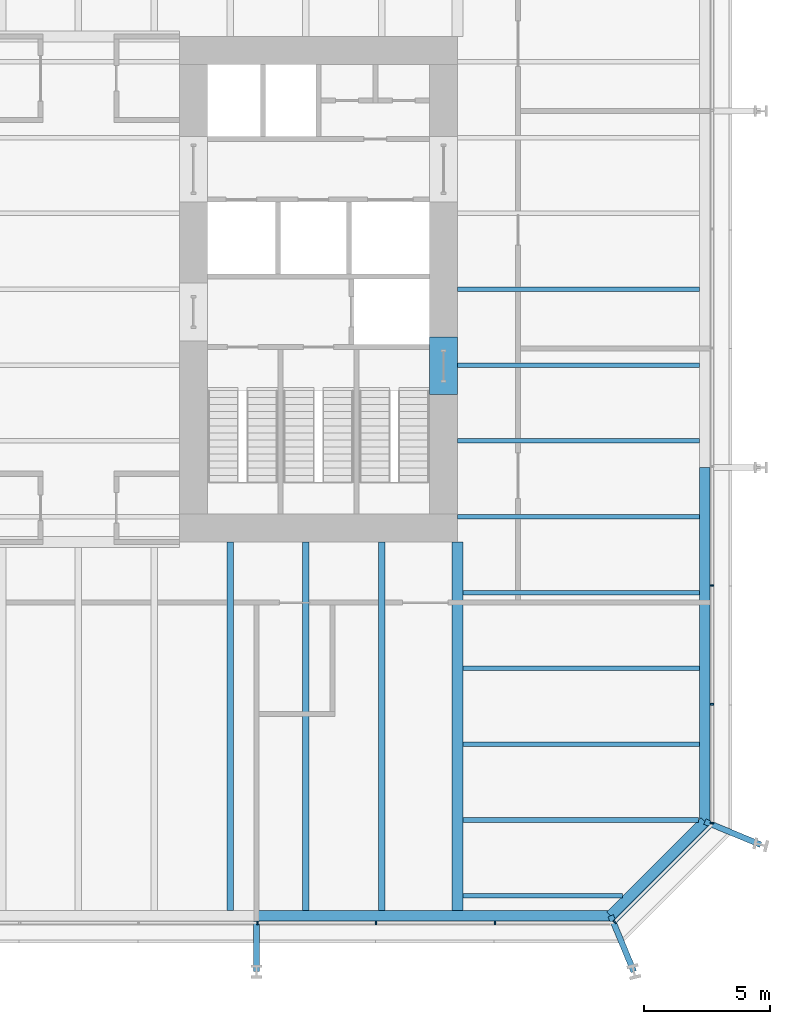
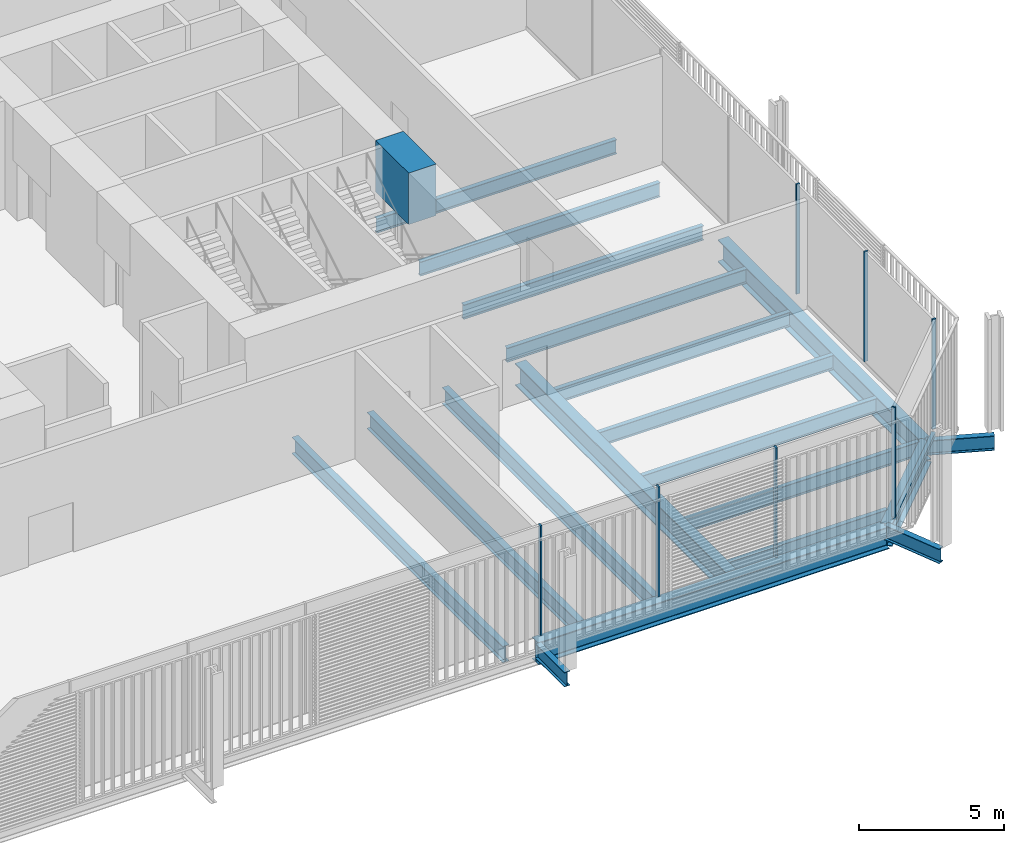
# One storey, part 8 of 22: 20 beams, 8 members, 3 elements without a shape of their own.
"""IFC4 building model written with IfcOpenShell, lengths in metres."""

from ifc_helpers import new_model, si_unit, direction, frame, origin, origin_2d, place, context, subcontext, project, spatial, rectangle, i_section, extrude, material, layer, layer_set, material_profile, profile_set, type_object, element, aggregate, save


model = new_model("IFC4")

# Units and contexts
model_context = context("Model", 3, precision=1e-05, world=origin(), true_north=direction((0.0, 1.0)))
body_context = subcontext(model_context, "Body", "Model", "MODEL_VIEW")
ifc_project = project(units=[si_unit("LENGTHUNIT", "METRE"), si_unit("AREAUNIT", "SQUARE_METRE"), si_unit("VOLUMEUNIT", "CUBIC_METRE"), si_unit("PLANEANGLEUNIT", "RADIAN"), si_unit("MASSUNIT", "GRAM", prefix="KILO")], contexts=[model_context])

# Site, building, storey
site_placement = place(None, origin())
site = spatial("IfcSite", under=ifc_project, at=site_placement, CompositionType="ELEMENT")
building_placement = place(site_placement, origin())
building = spatial("IfcBuilding", under=site, at=building_placement, Name="Millrace Tower", CompositionType="ELEMENT")
storey_placement = place(building_placement, frame((0.0, 0.0, 49.699951171875)))
storey = spatial("IfcBuildingStorey", under=building, at=storey_placement, Name="L11", CompositionType="ELEMENT", Elevation=49.699951171875)

# Curtain wall, members
ifc_material_1 = material(Name="Aluminium and glass", Category="aluminium")
ifc_layer = layer(ifc_material_1, 0.14990234375)
ifc_layer_set = layer_set([ifc_layer], Name="Aluminium and glass")
curtain_wall_type = type_object("IfcCurtainWallType", Name="CW-2 data hall insulated curtain wall", PredefinedType="NOTDEFINED", material=ifc_layer_set)
placement = place(storey_placement, origin())
curtain_wall_1 = element("IfcCurtainWall", 1, at=placement, inside=storey, type_object=curtain_wall_type, Name="Curtain wall A-F02 L11", PredefinedType="NOTDEFINED")
ifc_material_2 = material(Name="Aluminium", Category="aluminium")
ifc_material_profile_1 = material_profile(ifc_material_2, rectangle(XDim=0.06494140625, YDim=0.14990234375, at=origin_2d()))
ifc_profile_set_1 = profile_set([ifc_material_profile_1], Name="Aluminium")
member_type_1 = type_object("IfcMemberType", Name="CW-2 data hall insulated curtain wall mullion", PredefinedType="MULLION", material=ifc_profile_set_1)
member_1_placement = place(storey_placement, frame((7.08251953125, -25.074951171875, 0.16015625), z_axis=(0.0, 0.0, 1.0), x_axis=(1.0, 0.0, 0.0)))
member_1 = element("IfcMember", 2, at=member_1_placement, type_object=member_type_1, Name="CW2 mullion A-F02.7", PredefinedType="MULLION", context=body_context, shape_type="SweptSolid", body=[
    extrude(rectangle(XDim=0.06494140625, YDim=0.14990234375, at=origin_2d()), origin(), (0.0, 0.0, 1.0), 4.639892578125),
])
member_2_placement = place(storey_placement, frame((11.782470703125, -25.074951171875, 0.16015625), z_axis=(0.0, 0.0, 1.0), x_axis=(1.0, 0.0, 0.0)))
member_2 = element("IfcMember", 3, at=member_2_placement, type_object=member_type_1, Name="CW2 mullion A-F02.8", PredefinedType="MULLION", context=body_context, shape_type="SweptSolid", body=[
    extrude(rectangle(XDim=0.06494140625, YDim=0.14990234375, at=origin_2d()), origin(), (0.0, 0.0, 1.0), 4.639892578125),
])
member_3_placement = place(storey_placement, frame((16.482421875, -25.074951171875, 0.16015625), z_axis=(0.0, 0.0, 1.0), x_axis=(1.0, 0.0, 0.0)))
member_3 = element("IfcMember", 4, at=member_3_placement, type_object=member_type_1, Name="CW2 mullion A-F02.9", PredefinedType="MULLION", context=body_context, shape_type="SweptSolid", body=[
    extrude(rectangle(XDim=0.06494140625, YDim=0.14990234375, at=origin_2d()), origin(), (0.0, 0.0, 1.0), 4.639892578125),
])
aggregate(curtain_wall_1, [member_1, member_2, member_3])

# Curtain wall, member
curtain_wall_2 = element("IfcCurtainWall", 5, at=placement, inside=storey, type_object=curtain_wall_type, Name="Curtain wall A-F03 L11", PredefinedType="NOTDEFINED")
member_4_placement = place(storey_placement, frame((21.22607421875, -25.030029296875, 0.16015625), z_axis=(0.0, 0.0, 1.0), x_axis=(0.707106781187, 0.707106781187, 0.0)))
member_4 = element("IfcMember", 6, at=member_4_placement, type_object=member_type_1, Name="CW2 mullion A-F03.1", PredefinedType="MULLION", context=body_context, shape_type="SweptSolid", body=[
    extrude(rectangle(XDim=0.06494140625, YDim=0.14990234375, at=origin_2d()), origin(), (0.0, 0.0, 1.0), 4.639892578125),
])

# Curtain wall, members
curtain_wall_3 = element("IfcCurtainWall", 7, at=placement, inside=storey, type_object=curtain_wall_type, Name="Curtain wall A-F04 L11", PredefinedType="NOTDEFINED")
member_5_placement = place(storey_placement, frame((25.074951171875, -21.117431640625, 0.16015625), z_axis=(0.0, 0.0, 1.0), x_axis=(0.0, 1.0, 0.0)))
member_5 = element("IfcMember", 8, at=member_5_placement, type_object=member_type_1, Name="CW2 mullion A-F04.1", PredefinedType="MULLION", context=body_context, shape_type="SweptSolid", body=[
    extrude(rectangle(XDim=0.06494140625, YDim=0.14990234375, at=origin_2d()), origin(), (0.0, 0.0, 1.0), 4.639892578125),
])
member_6_placement = place(storey_placement, frame((25.074951171875, -16.41748046875, 0.16015625), z_axis=(0.0, 0.0, 1.0), x_axis=(0.0, 1.0, 0.0)))
member_6 = element("IfcMember", 9, at=member_6_placement, type_object=member_type_1, Name="CW2 mullion A-F04.2", PredefinedType="MULLION", context=body_context, shape_type="SweptSolid", body=[
    extrude(rectangle(XDim=0.06494140625, YDim=0.14990234375, at=origin_2d()), origin(), (0.0, 0.0, 1.0), 4.639892578125),
])
member_7_placement = place(storey_placement, frame((25.074951171875, -11.717529296875, 0.16015625), z_axis=(0.0, 0.0, 1.0), x_axis=(0.0, 1.0, 0.0)))
member_7 = element("IfcMember", 10, at=member_7_placement, type_object=member_type_1, Name="CW2 mullion A-F04.3", PredefinedType="MULLION", context=body_context, shape_type="SweptSolid", body=[
    extrude(rectangle(XDim=0.06494140625, YDim=0.14990234375, at=origin_2d()), origin(), (0.0, 0.0, 1.0), 4.639892578125),
])
aggregate(curtain_wall_3, [member_5, member_6, member_7])

# Member
ifc_material_3 = material(Name="Aluminium", Category="aluminium")
ifc_material_profile_2 = material_profile(ifc_material_3, rectangle(XDim=0.14990234375, YDim=0.159912109375, at=origin_2d()))
ifc_profile_set_2 = profile_set([ifc_material_profile_2], Name="Aluminium")
member_type_2 = type_object("IfcMemberType", Name="CW-2 data hall insulated curtain wall transom", PredefinedType="USERDEFINED", material=ifc_profile_set_2)
member_8_placement = place(storey_placement, frame((21.273681640625, -24.982421875, 0.080078125), z_axis=(0.707106781187, 0.707106781187, 0.0), x_axis=(-0.707106781187, 0.707106781187, 0.0)))
member_8 = element("IfcMember", 11, at=member_8_placement, type_object=member_type_2, Name="CW2 transom A-F03.1", ObjectType="TRANSOM", PredefinedType="USERDEFINED", context=body_context, shape_type="SweptSolid", body=[
    extrude(rectangle(XDim=0.14990234375, YDim=0.159912109375, at=origin_2d()), origin(), (0.0, 0.0, 1.0), 5.244873046875),
])

aggregate(curtain_wall_2, [member_4, member_8])

# Beams
ifc_material_4 = material(Name="Concrete C80", Category="concrete")
ifc_material_profile_3 = material_profile(ifc_material_4, rectangle(XDim=1.10009765625, YDim=2.175048828125, at=origin_2d()))
ifc_profile_set_3 = profile_set([ifc_material_profile_3], Name="Concrete C80")
beam_type_1 = type_object("IfcBeamType", Name="Coupling beam 1100 x 2175 Concrete C80, 1300 opening", PredefinedType="BEAM", material=ifc_profile_set_3)
beam_1_placement = place(storey_placement, frame((14.449951171875, -1.88818359375, 3.487548828125), z_axis=(0.0, -1.0, 0.0), x_axis=(1.0, 0.0, 0.0)))
element("IfcBeam", 12, at=beam_1_placement, inside=storey, type_object=beam_type_1, Name="Coupling beam E L11", PredefinedType="BEAM", context=body_context, shape_type="SweptSolid", body=[
    extrude(rectangle(XDim=1.10009765625, YDim=2.175048828125, at=origin_2d()), origin(), (0.0, 0.0, 1.0), 2.28369140625),
])
ifc_material_5 = material(Name="Steel ASTM A992 Grade 50", Category="steel")
ifc_material_profile_4 = material_profile(ifc_material_5, i_section(OverallWidth=0.177978515625, OverallDepth=0.599365234375, WebThickness=0.010009765625, FlangeThickness=0.012939453125, FilletRadius=0.012939453125, at=origin_2d()))
ifc_profile_set_4 = profile_set([ifc_material_profile_4], Name="Steel ASTM A992 Grade 50")
beam_type_2 = type_object("IfcBeamType", Name="Floor beam W24x55", PredefinedType="JOIST", material=ifc_profile_set_4)
beam_2_placement = place(storey_placement, frame((15.212158203125, -24.0, -0.524658203125), z_axis=(1.0, 0.0, 0.0), x_axis=(0.0, 1.0, 0.0)))
element("IfcBeam", 13, at=beam_2_placement, inside=storey, type_object=beam_type_2, Name="BM-A-L11-S1-S002", PredefinedType="JOIST", context=body_context, shape_type="SweptSolid", body=[
    extrude(i_section(OverallWidth=0.177978515625, OverallDepth=0.599365234375, WebThickness=0.010009765625, FlangeThickness=0.012939453125, FilletRadius=0.012939453125, at=origin_2d()), origin(), (0.0, 0.0, 1.0), 6.317626953125),
])
ifc_material_6 = material(Name="Steel ASTM A992 Grade 50", Category="steel")
ifc_material_profile_5 = material_profile(ifc_material_6, i_section(OverallWidth=0.1787109375, OverallDepth=0.60205078125, WebThickness=0.010986328125, FlangeThickness=0.014892578125, FilletRadius=0.0126953125, at=origin_2d()))
ifc_profile_set_5 = profile_set([ifc_material_profile_5], Name="Steel ASTM A992 Grade 50")
beam_type_3 = type_object("IfcBeamType", Name="Floor beam W24x62", PredefinedType="JOIST", material=ifc_profile_set_5)
for number, where, z_axis, x_axis, name in (
    (14, (15.212158203125, -18.0, -0.52587890625), (1.0, 0.0, 0.0), (0.0, 1.0, 0.0), "BM-A-L11-S1-S006"),
    (15, (15.212158203125, -15.0, -0.52587890625), (1.0, 0.0, 0.0), (0.0, 1.0, 0.0), "BM-A-L11-S1-S008"),
    (16, (15.212158203125, -12.0, -0.52587890625), (1.0, 0.0, 0.0), (0.0, 1.0, 0.0), "BM-A-L11-S1-S010"),
):
    element("IfcBeam", number, at=place(storey_placement, frame(where, z_axis=z_axis, x_axis=x_axis)), inside=storey, type_object=beam_type_3, Name=name, PredefinedType="JOIST", context=body_context, shape_type="SweptSolid", body=[
        extrude(i_section(OverallWidth=0.1787109375, OverallDepth=0.60205078125, WebThickness=0.010986328125, FlangeThickness=0.014892578125, FilletRadius=0.0126953125, at=origin_2d()), origin(), (0.0, 0.0, 1.0), 9.3662109375),
    ])
for number, where, z_axis, x_axis, name in (
    (17, (15.0, -9.0, -0.52587890625), (1.0, 0.0, 0.0), (0.0, 1.0, 0.0), "BM-A-L11-S1-S013"),
    (18, (15.0, -6.0, -0.52587890625), (1.0, 0.0, 0.0), (0.0, 1.0, 0.0), "BM-A-L11-S1-S016"),
    (19, (15.0, -3.0, -0.52587890625), (1.0, 0.0, 0.0), (0.0, 1.0, 0.0), "BM-A-L11-S1-S019"),
    (20, (15.0, 0.0, -0.52587890625), (1.0, 0.0, 0.0), (0.0, 1.0, 0.0), "BM-A-L11-S1-S022"),
):
    element("IfcBeam", number, at=place(storey_placement, frame(where, z_axis=z_axis, x_axis=x_axis)), inside=storey, type_object=beam_type_3, Name=name, PredefinedType="JOIST", context=body_context, shape_type="SweptSolid", body=[
        extrude(i_section(OverallWidth=0.1787109375, OverallDepth=0.60205078125, WebThickness=0.010986328125, FlangeThickness=0.014892578125, FilletRadius=0.0126953125, at=origin_2d()), origin(), (0.0, 0.0, 1.0), 9.578369140625),
    ])
beam_3_placement = place(storey_placement, frame((15.212158203125, -21.0, -0.52587890625), z_axis=(1.0, 0.0, 0.0), x_axis=(0.0, 1.0, 0.0)))
element("IfcBeam", 21, at=beam_3_placement, inside=storey, type_object=beam_type_3, Name="BM-A-L11-S1-S004", PredefinedType="JOIST", context=body_context, shape_type="SweptSolid", body=[
    extrude(i_section(OverallWidth=0.1787109375, OverallDepth=0.60205078125, WebThickness=0.010986328125, FlangeThickness=0.014892578125, FilletRadius=0.0126953125, at=origin_2d()), origin(), (0.0, 0.0, 1.0), 9.317626953125),
])
ifc_material_7 = material(Name="Steel ASTM A992 Grade 50", Category="steel")
ifc_material_profile_6 = material_profile(ifc_material_7, i_section(OverallWidth=0.256591796875, OverallDepth=0.693359375, WebThickness=0.014404296875, FlangeThickness=0.023681640625, FilletRadius=0.01513671875, at=origin_2d()))
ifc_profile_set_6 = profile_set([ifc_material_profile_6], Name="Steel ASTM A992 Grade 50")
beam_type_4 = type_object("IfcBeamType", Name="Floor beam W27x114", PredefinedType="JOIST", material=ifc_profile_set_6)
for number, where, z_axis, x_axis, name in (
    (22, (6.0, -24.578369140625, -0.57177734375), (0.0, 1.0, 0.0), (-1.0, 0.0, 0.0), "BM-A-L11-S1-S055"),
    (23, (9.0, -24.578369140625, -0.57177734375), (0.0, 1.0, 0.0), (-1.0, 0.0, 0.0), "BM-A-L11-S1-S057"),
    (24, (12.0, -24.578369140625, -0.57177734375), (0.0, 1.0, 0.0), (-1.0, 0.0, 0.0), "BM-A-L11-S1-S059"),
):
    element("IfcBeam", number, at=place(storey_placement, frame(where, z_axis=z_axis, x_axis=x_axis)), inside=storey, type_object=beam_type_4, Name=name, PredefinedType="JOIST", context=body_context, shape_type="SweptSolid", body=[
        extrude(i_section(OverallWidth=0.256591796875, OverallDepth=0.693359375, WebThickness=0.014404296875, FlangeThickness=0.023681640625, FilletRadius=0.01513671875, at=origin_2d()), origin(), (0.0, 0.0, 1.0), 14.578369140625),
    ])
ifc_material_8 = material(Name="Steel ASTM A992 Grade 50", Category="steel")
ifc_material_profile_7 = material_profile(ifc_material_8, i_section(OverallWidth=0.424072265625, OverallDepth=0.947509765625, WebThickness=0.02392578125, FlangeThickness=0.042724609375, FilletRadius=0.024169921875, at=origin_2d()))
ifc_profile_set_7 = profile_set([ifc_material_profile_7], Name="Steel ASTM A992 Grade 50")
beam_type_5 = type_object("IfcBeamType", Name="Girder medium span W36x302", PredefinedType="BEAM", material=ifc_profile_set_7)
beam_4_placement = place(storey_placement, frame((15.0, -24.578369140625, -0.69873046875), z_axis=(0.0, 1.0, 0.0), x_axis=(-1.0, 0.0, 0.0)))
element("IfcBeam", 25, at=beam_4_placement, inside=storey, type_object=beam_type_5, Name="BM-A-L11-S1-G063", PredefinedType="BEAM", context=body_context, shape_type="SweptSolid", body=[
    extrude(i_section(OverallWidth=0.424072265625, OverallDepth=0.947509765625, WebThickness=0.02392578125, FlangeThickness=0.042724609375, FilletRadius=0.024169921875, at=origin_2d()), origin(), (0.0, 0.0, 1.0), 14.578369140625),
])
ifc_material_9 = material(Name="Steel ASTM A992 Grade 50", Category="steel")
ifc_material_profile_8 = material_profile(ifc_material_9, i_section(OverallWidth=0.23046875, OverallDepth=0.6171875, WebThickness=0.01318359375, FlangeThickness=0.022216796875, FilletRadius=0.012939453125, at=origin_2d()))
ifc_profile_set_8 = profile_set([ifc_material_profile_8], Name="Steel ASTM A992 Grade 50")
beam_type_6 = type_object("IfcBeamType", Name="Link beam W24x94", PredefinedType="BEAM", material=ifc_profile_set_8)
for number, where, z_axis, x_axis, name in (
    (26, (24.7890625, -21.062744140625, -0.533447265625), (0.923883789366, -0.382673155247, 0.0), (0.382673155247, 0.923883789366, 0.0), "LNK-A-L11-S1-12"),
    (27, (21.062744140625, -24.7890625, -0.533447265625), (0.382673155247, -0.923883789366, 0.0), (0.923883789366, 0.382673155247, 0.0), "LNK-A-L11-S1-13"),
):
    element("IfcBeam", number, at=place(storey_placement, frame(where, z_axis=z_axis, x_axis=x_axis)), inside=storey, type_object=beam_type_6, Name=name, PredefinedType="BEAM", context=body_context, shape_type="SweptSolid", body=[
        extrude(i_section(OverallWidth=0.23046875, OverallDepth=0.6171875, WebThickness=0.01318359375, FlangeThickness=0.022216796875, FilletRadius=0.012939453125, at=origin_2d()), origin(), (0.0, 0.0, 1.0), 2.39306640625),
    ])
beam_5_placement = place(storey_placement, frame((7.050048828125, -25.0, -0.533447265625), z_axis=(0.0, -1.0, 0.0), x_axis=(1.0, 0.0, 0.0)))
element("IfcBeam", 28, at=beam_5_placement, inside=storey, type_object=beam_type_6, Name="LNK-A-L11-S1-14", PredefinedType="BEAM", context=body_context, shape_type="SweptSolid", body=[
    extrude(i_section(OverallWidth=0.23046875, OverallDepth=0.6171875, WebThickness=0.01318359375, FlangeThickness=0.022216796875, FilletRadius=0.012939453125, at=origin_2d()), origin(), (0.0, 0.0, 1.0), 2.0),
])
ifc_material_10 = material(Name="Steel ASTM A992 Grade 50", Category="steel")
ifc_material_profile_9 = material_profile(ifc_material_10, i_section(OverallWidth=0.421630859375, OverallDepth=0.937255859375, WebThickness=0.021240234375, FlangeThickness=0.03662109375, FilletRadius=0.024169921875, at=origin_2d()))
ifc_profile_set_9 = profile_set([ifc_material_profile_9], Name="Steel ASTM A992 Grade 50")
beam_type_7 = type_object("IfcBeamType", Name="Ring beam medium span W36x262", PredefinedType="SPANDREL", material=ifc_profile_set_9)
for number, where, z_axis, x_axis, name in (
    (29, (24.7890625, -7.050048828125, -0.693603515625), (0.0, -1.0, 0.0), (1.0, 0.0, 0.0), "RNG-A-L11-S1-11"),
    (30, (21.062744140625, -24.7890625, -0.693603515625), (-1.0, 0.0, 0.0), (0.0, -1.0, 0.0), "RNG-A-L11-S1-13"),
):
    element("IfcBeam", number, at=place(storey_placement, frame(where, z_axis=z_axis, x_axis=x_axis)), inside=storey, type_object=beam_type_7, Name=name, PredefinedType="SPANDREL", context=body_context, shape_type="SweptSolid", body=[
        extrude(i_section(OverallWidth=0.421630859375, OverallDepth=0.937255859375, WebThickness=0.021240234375, FlangeThickness=0.03662109375, FilletRadius=0.024169921875, at=origin_2d()), origin(), (0.0, 0.0, 1.0), 14.0126953125),
    ])
ifc_material_11 = material(Name="Steel ASTM A992 Grade 50", Category="steel")
ifc_material_profile_10 = material_profile(ifc_material_11, i_section(OverallWidth=0.421630859375, OverallDepth=0.937255859375, WebThickness=0.021240234375, FlangeThickness=0.03662109375, FilletRadius=0.024169921875, at=origin_2d()))
ifc_profile_set_10 = profile_set([ifc_material_profile_10], Name="Steel ASTM A992 Grade 50")
beam_type_8 = type_object("IfcBeamType", Name="Ring beam short span W36x262", PredefinedType="SPANDREL", material=ifc_profile_set_10)
beam_6_placement = place(storey_placement, frame((24.7890625, -21.062744140625, -0.693603515625), z_axis=(-0.707106781187, -0.707106781187, 0.0), x_axis=(0.707106781187, -0.707106781187, 0.0)))
element("IfcBeam", 31, at=beam_6_placement, inside=storey, type_object=beam_type_8, Name="RNG-A-L11-S1-12", PredefinedType="SPANDREL", context=body_context, shape_type="SweptSolid", body=[
    extrude(i_section(OverallWidth=0.421630859375, OverallDepth=0.937255859375, WebThickness=0.021240234375, FlangeThickness=0.03662109375, FilletRadius=0.024169921875, at=origin_2d()), origin(), (0.0, 0.0, 1.0), 5.269775390625),
])

save(model, "model.ifc")
